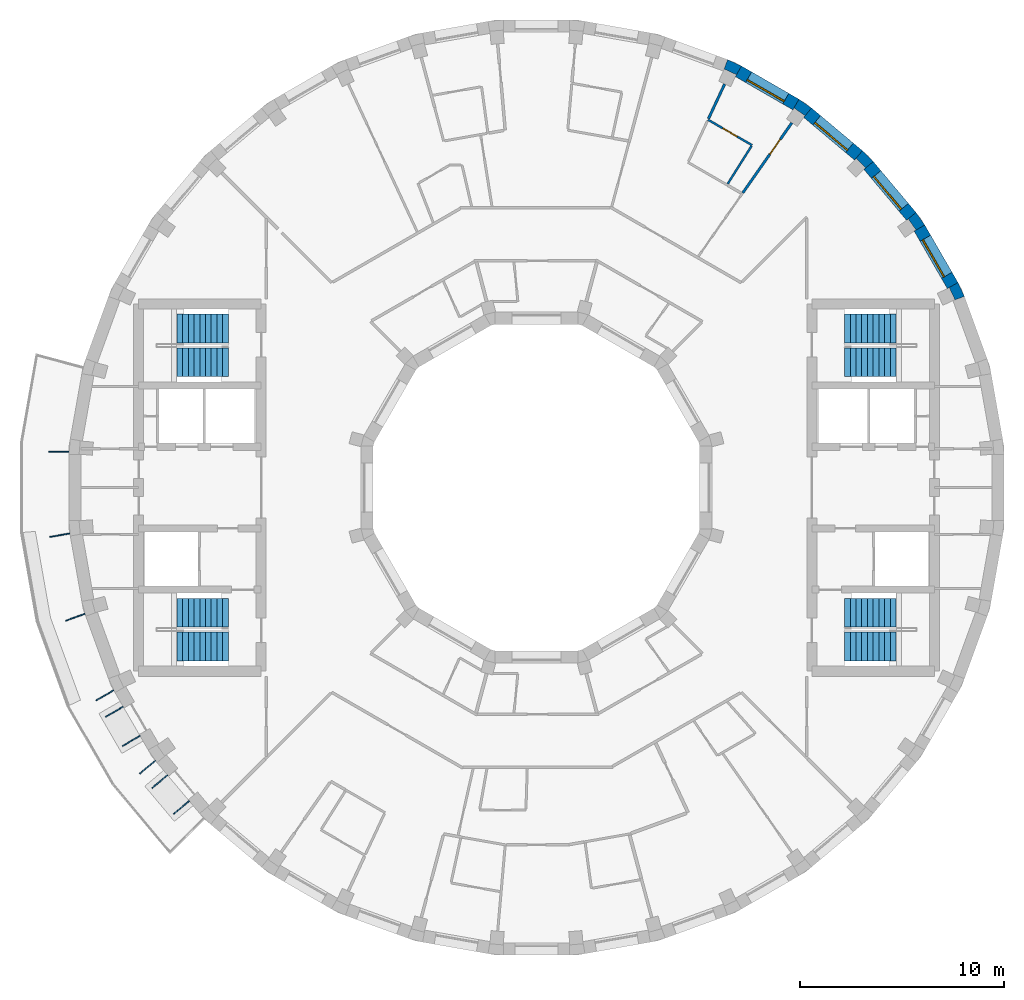
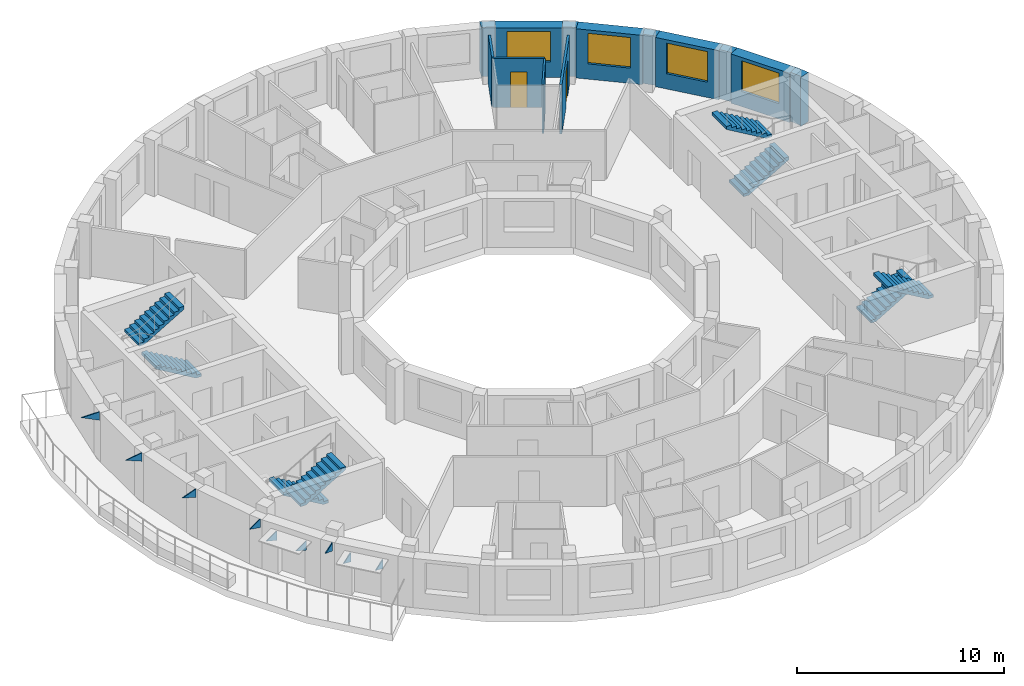
# One storey, part 9 of 10: 13 walls, 9 discrete accessories, 8 stair flights, 4 windows, 2 doors, 6 openings, 4 elements without a shape of their own.
"""IFC4 building model written with IfcOpenShell, lengths in metres."""

from ifc_helpers import new_model, si_unit, direction, frame, frame_2d, origin, place, context, subcontext, project, spatial, polyline, rectangle, outline, extrude, material, layer, layer_set, type_object, element, fill, aggregate, save


model = new_model("IFC4")

# Units and contexts
model_context = context("Model", 3, precision=1e-05, world=origin(), true_north=direction((0.0, 1.0)))
body_context = subcontext(model_context, "Body", "Model", "MODEL_VIEW")
ifc_project = project(units=[si_unit("LENGTHUNIT", "METRE"), si_unit("AREAUNIT", "SQUARE_METRE"), si_unit("VOLUMEUNIT", "CUBIC_METRE"), si_unit("PLANEANGLEUNIT", "RADIAN"), si_unit("MASSUNIT", "GRAM", prefix="KILO")], contexts=[model_context])

# Site, building, storey
site_placement = place(None, origin())
site = spatial("IfcSite", under=ifc_project, at=site_placement, CompositionType="ELEMENT")
building_placement = place(site_placement, origin())
building = spatial("IfcBuilding", under=site, at=building_placement, Name="Saqina Gate Tower", CompositionType="ELEMENT")
storey_placement = place(building_placement, frame((0.0, 0.0, 249.5)))
storey = spatial("IfcBuildingStorey", under=building, at=storey_placement, Name="L71", CompositionType="ELEMENT", Elevation=249.5)

# Walls
ifc_material_1 = material(Name="Brick masonry (buff)", Category="masonry")
wall_type_1 = type_object("IfcWallType", Name="BRICK PIER COPING BUFF", PredefinedType="SOLIDWALL", material=ifc_material_1)
wall_1_placement = place(storey_placement, origin())
element("IfcWall", 1, at=wall_1_placement, inside=storey, type_object=wall_type_1, Name="Pier cap L71 column 3", PredefinedType="SOLIDWALL", context=body_context, shape_type="SweptSolid", body=[
    extrude(outline(polyline([(20.974609375, 9.3642578125), (20.65576171875, 10.048095703125), (20.135986328125, 9.748291015625), (20.23193359375, 9.79296875), (20.506591796875, 9.203857421875), (20.410888671875, 9.1591796875), (20.974609375, 9.3642578125)])), origin(), (0.0, 0.0, 1.0), 2.89990234375),
])
wall_2_placement = place(storey_placement, origin())
element("IfcWall", 2, at=wall_2_placement, inside=storey, type_object=wall_type_1, Name="Pier cap L71 column 4", PredefinedType="SOLIDWALL", context=body_context, shape_type="SweptSolid", body=[
    extrude(outline(polyline([(19.02978515625, 12.8642578125), (18.59716796875, 13.482421875), (18.137451171875, 13.0966796875), (18.22412109375, 13.157470703125), (18.596923828125, 12.625), (18.51025390625, 12.564208984375), (19.02978515625, 12.8642578125)])), origin(), (0.0, 0.0, 1.0), 2.89990234375),
])
wall_3_placement = place(storey_placement, origin())
element("IfcWall", 3, at=wall_3_placement, inside=storey, type_object=wall_type_1, Name="Pier cap L71 column 5", PredefinedType="SOLIDWALL", context=body_context, shape_type="SweptSolid", body=[
    extrude(outline(polyline([(15.973388671875, 16.5068359375), (15.587646484375, 16.04736328125), (15.662353515625, 16.1220703125), (16.1220703125, 15.662353515625), (16.04736328125, 15.587646484375), (16.5068359375, 15.973388671875), (15.973388671875, 16.5068359375)])), origin(), (0.0, 0.0, 1.0), 2.89990234375),
])
wall_4_placement = place(storey_placement, origin())
element("IfcWall", 4, at=wall_4_placement, inside=storey, type_object=wall_type_1, Name="Pier cap L71 column 6", PredefinedType="SOLIDWALL", context=body_context, shape_type="SweptSolid", body=[
    extrude(outline(polyline([(12.8642578125, 19.02978515625), (12.564208984375, 18.51025390625), (12.625, 18.596923828125), (13.157470703125, 18.22412109375), (13.0966796875, 18.137451171875), (13.482421875, 18.59716796875), (12.8642578125, 19.02978515625)])), origin(), (0.0, 0.0, 1.0), 2.89990234375),
])
wall_5_placement = place(storey_placement, origin())
element("IfcWall", 5, at=wall_5_placement, inside=storey, type_object=wall_type_1, Name="Pier cap L71 column 7", PredefinedType="SOLIDWALL", context=body_context, shape_type="SweptSolid", body=[
    extrude(outline(polyline([(10.048095703125, 20.65576171875), (9.3642578125, 20.974609375), (9.1591796875, 20.410888671875), (9.203857421875, 20.506591796875), (9.79296875, 20.23193359375), (9.748291015625, 20.135986328125), (10.048095703125, 20.65576171875)])), origin(), (0.0, 0.0, 1.0), 2.89990234375),
])

# Wall, opening, window
ifc_material_2 = material(Name="Brick masonry (buff)", Category="masonry")
ifc_layer_1 = layer(ifc_material_2, 0.60009765625)
ifc_layer_set_1 = layer_set([ifc_layer_1], Name="FW-BRICK-BUFF")
wall_type_2 = type_object("IfcWallType", Name="FW-BRICK-BUFF", PredefinedType="SOLIDWALL", material=ifc_layer_set_1)
wall_6_placement = place(storey_placement, frame((20.39599609375, 9.898193359375, 0.0), z_axis=(0.0, 0.0, 1.0), x_axis=(-0.500014901547, 0.866016800201, 0.0)))
wall_6 = element("IfcWall", 6, at=wall_6_placement, inside=storey, type_object=wall_type_2, Name="Facade wall L71 facet 3", PredefinedType="SOLIDWALL", context=body_context, shape_type="SweptSolid", body=[
    extrude(rectangle(XDim=3.251953125, YDim=0.60009765625, at=frame_2d((1.6259765625, 0.0))), origin(), (0.0, 0.0, 1.0), 2.89990234375),
])
opening_1_placement = place(wall_6_placement, frame((0.57568359375, 0.0, 0.89990234375)))
opening_1 = element("IfcOpeningElement", 7, at=opening_1_placement, cuts=wall_6, Name="Opening G21-W01", PredefinedType="OPENING", context=body_context, shape_type="SweptSolid", body=[
    extrude(rectangle(XDim=2.10009765625, YDim=1.800048828125, at=frame_2d((1.050048828125, 0.89990234375))), frame((0.0, 0.31201171875, 0.0), z_axis=(0.0, -1.0, 0.0), x_axis=(1.0, 0.0, 0.0)), (0.0, 0.0, 1.0), 0.6240234375),
])
ifc_material_3 = material(Name="Aluminium glazing", Category="aluminium")
window_type = type_object("IfcWindowType", Name="WN-D", PartitioningType="SINGLE_PANEL", PredefinedType="WINDOW", material=ifc_material_3)
window_1_placement = place(opening_1_placement, origin())
window_1 = element("IfcWindow", 8, at=window_1_placement, inside=storey, type_object=window_type, Name="Window L71 facet 3", OverallHeight=1.800048828125, OverallWidth=2.10009765625, PartitioningType="SINGLE_PANEL", PredefinedType="WINDOW", context=body_context, shape_type="SweptSolid", body=[
    extrude(rectangle(XDim=2.10009765625, YDim=1.800048828125, at=frame_2d((1.050048828125, 0.89990234375))), frame((0.0, 0.179931640625, 0.0), z_axis=(0.0, -1.0, 0.0), x_axis=(1.0, 0.0, 0.0)), (0.0, 0.0, 1.0), 0.06005859375),
])
fill(opening_1, window_1)

wall_7_placement = place(storey_placement, frame((18.3671875, 13.28955078125, 0.0), z_axis=(0.0, 0.0, 1.0), x_axis=(-0.64277291405, 0.766056773982, 0.0)))
wall_7 = element("IfcWall", 9, at=wall_7_placement, inside=storey, type_object=wall_type_2, Name="Facade wall L71 facet 4", PredefinedType="SOLIDWALL", context=body_context, shape_type="SweptSolid", body=[
    extrude(rectangle(XDim=3.251708984375, YDim=0.60009765625, at=frame_2d((1.6259765625, 0.0))), origin(), (0.0, 0.0, 1.0), 2.89990234375),
])
opening_2_placement = place(wall_7_placement, frame((0.57568359375, 0.0, 0.89990234375)))
opening_2 = element("IfcOpeningElement", 10, at=opening_2_placement, cuts=wall_7, Name="Opening G21-W02", PredefinedType="OPENING", context=body_context, shape_type="SweptSolid", body=[
    extrude(rectangle(XDim=2.10009765625, YDim=1.800048828125, at=frame_2d((1.050048828125, 0.89990234375))), frame((0.0, 0.31201171875, 0.0), z_axis=(0.0, -1.0, 0.0), x_axis=(1.0, 0.0, 0.0)), (0.0, 0.0, 1.0), 0.6240234375),
])
window_2_placement = place(opening_2_placement, origin())
window_2 = element("IfcWindow", 11, at=window_2_placement, inside=storey, type_object=window_type, Name="Window L71 facet 4", OverallHeight=1.800048828125, OverallWidth=2.10009765625, PartitioningType="SINGLE_PANEL", PredefinedType="WINDOW", context=body_context, shape_type="SweptSolid", body=[
    extrude(rectangle(XDim=2.10009765625, YDim=1.800048828125, at=frame_2d((1.050048828125, 0.89990234375))), frame((0.0, 0.179931640625, 0.0), z_axis=(0.0, -1.0, 0.0), x_axis=(1.0, 0.0, 0.0)), (0.0, 0.0, 1.0), 0.06005859375),
])
fill(opening_2, window_2)

wall_8_placement = place(storey_placement, frame((15.780517578125, 16.277099609375, 0.0), z_axis=(0.0, 0.0, 1.0), x_axis=(-0.766056773982, 0.64277291405, 0.0)))
wall_8 = element("IfcWall", 12, at=wall_8_placement, inside=storey, type_object=wall_type_2, Name="Facade wall L71 facet 5", PredefinedType="SOLIDWALL", context=body_context, shape_type="SweptSolid", body=[
    extrude(rectangle(XDim=3.251708984375, YDim=0.60009765625, at=frame_2d((1.6259765625, 0.0))), origin(), (0.0, 0.0, 1.0), 2.89990234375),
])
opening_3_placement = place(wall_8_placement, frame((0.57568359375, 0.0, 0.89990234375)))
opening_3 = element("IfcOpeningElement", 13, at=opening_3_placement, cuts=wall_8, Name="Opening G21-W03", PredefinedType="OPENING", context=body_context, shape_type="SweptSolid", body=[
    extrude(rectangle(XDim=2.10009765625, YDim=1.800048828125, at=frame_2d((1.050048828125, 0.89990234375))), frame((0.0, 0.31201171875, 0.0), z_axis=(0.0, -1.0, 0.0), x_axis=(1.0, 0.0, 0.0)), (0.0, 0.0, 1.0), 0.6240234375),
])
window_3_placement = place(opening_3_placement, origin())
window_3 = element("IfcWindow", 14, at=window_3_placement, inside=storey, type_object=window_type, Name="Window L71 facet 5", OverallHeight=1.800048828125, OverallWidth=2.10009765625, PartitioningType="SINGLE_PANEL", PredefinedType="WINDOW", context=body_context, shape_type="SweptSolid", body=[
    extrude(rectangle(XDim=2.10009765625, YDim=1.800048828125, at=frame_2d((1.050048828125, 0.89990234375))), frame((0.0, 0.179931640625, 0.0), z_axis=(0.0, -1.0, 0.0), x_axis=(1.0, 0.0, 0.0)), (0.0, 0.0, 1.0), 0.06005859375),
])
fill(opening_3, window_3)

wall_9_placement = place(storey_placement, frame((12.71435546875, 18.77001953125, 0.0), z_axis=(0.0, 0.0, 1.0), x_axis=(-0.866016800201, 0.500014901547, 0.0)))
wall_9 = element("IfcWall", 15, at=wall_9_placement, inside=storey, type_object=wall_type_2, Name="Facade wall L71 facet 6", PredefinedType="SOLIDWALL", context=body_context, shape_type="SweptSolid", body=[
    extrude(rectangle(XDim=3.251953125, YDim=0.60009765625, at=frame_2d((1.6259765625, 0.0))), origin(), (0.0, 0.0, 1.0), 2.89990234375),
])
opening_4_placement = place(wall_9_placement, frame((0.57568359375, 0.0, 0.89990234375)))
opening_4 = element("IfcOpeningElement", 16, at=opening_4_placement, cuts=wall_9, Name="Opening G21-W04", PredefinedType="OPENING", context=body_context, shape_type="SweptSolid", body=[
    extrude(rectangle(XDim=2.10009765625, YDim=1.800048828125, at=frame_2d((1.050048828125, 0.89990234375))), frame((0.0, 0.31201171875, 0.0), z_axis=(0.0, -1.0, 0.0), x_axis=(1.0, 0.0, 0.0)), (0.0, 0.0, 1.0), 0.6240234375),
])
window_4_placement = place(opening_4_placement, origin())
window_4 = element("IfcWindow", 17, at=window_4_placement, inside=storey, type_object=window_type, Name="Window L71 facet 6", OverallHeight=1.800048828125, OverallWidth=2.10009765625, PartitioningType="SINGLE_PANEL", PredefinedType="WINDOW", context=body_context, shape_type="SweptSolid", body=[
    extrude(rectangle(XDim=2.10009765625, YDim=1.800048828125, at=frame_2d((1.050048828125, 0.89990234375))), frame((0.0, 0.179931640625, 0.0), z_axis=(0.0, -1.0, 0.0), x_axis=(1.0, 0.0, 0.0)), (0.0, 0.0, 1.0), 0.06005859375),
])
fill(opening_4, window_4)

# Wall, opening, door
ifc_material_4 = material(Name="Gypsum board on steel studs, 100 mm", Category="steel")
ifc_layer_2 = layer(ifc_material_4, 0.10009765625)
ifc_layer_set_2 = layer_set([ifc_layer_2], Name="PARTITION 100")
wall_type_3 = type_object("IfcWallType", Name="PARTITION 100", PredefinedType="PARTITIONING", material=ifc_layer_set_2)
wall_10_placement = place(storey_placement, frame((8.405029296875, 18.02490234375, 0.0), z_axis=(0.0, 0.0, 1.0), x_axis=(0.866060068719, -0.499939953764, 0.0)))
wall_10 = element("IfcWall", 18, at=wall_10_placement, inside=storey, type_object=wall_type_3, Name="PARTITION PW3-19", PredefinedType="PARTITIONING", context=body_context, shape_type="SweptSolid", body=[
    extrude(rectangle(XDim=2.493896484375, YDim=0.10009765625, at=frame_2d((1.2470703125, 0.0))), origin(), (0.0, 0.0, 1.0), 2.89990234375),
])
opening_5_placement = place(wall_10_placement, frame((0.84716796875, 0.0, 0.0)))
opening_5 = element("IfcOpeningElement", 19, at=opening_5_placement, cuts=wall_10, Name="Opening G21-D07", PredefinedType="OPENING", context=body_context, shape_type="SweptSolid", body=[
    extrude(rectangle(XDim=0.800048828125, YDim=2.10009765625, at=frame_2d((0.39990234375, 1.050048828125))), frame((0.0, 0.06201171875, 0.0), z_axis=(0.0, -1.0, 0.0), x_axis=(1.0, 0.0, 0.0)), (0.0, 0.0, 1.0), 0.1240234375),
])
ifc_material_5 = material(Name="Timber door leaf, 800 mm", Category="wood")
door_type_1 = type_object("IfcDoorType", Name="DOOR 800 TIMBER", OperationType="SINGLE_SWING_LEFT", PredefinedType="DOOR", material=ifc_material_5)
door_1_placement = place(opening_5_placement, origin())
door_1 = element("IfcDoor", 20, at=door_1_placement, inside=storey, type_object=door_type_1, Name="DOOR G21-D07", OperationType="SINGLE_SWING_RIGHT", OverallHeight=2.10009765625, OverallWidth=0.800048828125, PredefinedType="DOOR", context=body_context, shape_type="SweptSolid", body=[
    extrude(rectangle(XDim=0.800048828125, YDim=2.10009765625, at=frame_2d((0.39990234375, 1.050048828125))), frame((0.0, 0.02490234375, 0.0), z_axis=(0.0, -1.0, 0.0), x_axis=(1.0, 0.0, 0.0)), (0.0, 0.0, 1.0), 0.050048828125),
])
fill(opening_5, door_1)

# Wall
wall_11_placement = place(storey_placement, frame((9.371337890625, 14.8828125, 0.0), z_axis=(0.0, 0.0, 1.0), x_axis=(0.532952249521, 0.846145318329, 0.0)))
element("IfcWall", 21, at=wall_11_placement, inside=storey, type_object=wall_type_3, Name="PARTITION PW3-39", PredefinedType="PARTITIONING", context=body_context, shape_type="SweptSolid", body=[
    extrude(rectangle(XDim=2.189697265625, YDim=0.10009765625, at=frame_2d((1.0947265625, 0.0))), origin(), (0.0, 0.0, 1.0), 2.89990234375),
])

# Wall, opening, door
ifc_material_6 = material(Name="Gypsum board on steel studs, 125 mm, fire rated", Category="steel")
ifc_layer_3 = layer(ifc_material_6, 0.125)
ifc_layer_set_3 = layer_set([ifc_layer_3], Name="PARTITION EI 30 125")
wall_type_4 = type_object("IfcWallType", Name="PARTITION EI 30 125", PredefinedType="PARTITIONING", material=ifc_layer_set_3)
wall_12_placement = place(storey_placement, frame((10.111572265625, 14.44091796875, 0.0), z_axis=(0.0, 0.0, 1.0), x_axis=(0.57362673896, 0.819116819721, 0.0)))
wall_12 = element("IfcWall", 22, at=wall_12_placement, inside=storey, type_object=wall_type_4, Name="PARTITION PW1-32", PredefinedType="PARTITIONING", context=body_context, shape_type="SweptSolid", body=[
    extrude(rectangle(XDim=4.185791015625, YDim=0.125, at=frame_2d((2.0927734375, 0.0))), origin(), (0.0, 0.0, 1.0), 2.89990234375),
])
opening_6_placement = place(wall_12_placement, frame((2.309326171875, 0.0, 0.0)))
opening_6 = element("IfcOpeningElement", 23, at=opening_6_placement, cuts=wall_12, Name="Opening G21-D05", PredefinedType="OPENING", context=body_context, shape_type="SweptSolid", body=[
    extrude(rectangle(XDim=0.89990234375, YDim=2.10009765625, at=frame_2d((0.449951171875, 1.050048828125))), frame((0.0, 0.074462890625, 0.0), z_axis=(0.0, -1.0, 0.0), x_axis=(1.0, 0.0, 0.0)), (0.0, 0.0, 1.0), 0.14892578125),
])
ifc_material_7 = material(Name="Fire door leaf EI 30, 900 mm")
door_type_2 = type_object("IfcDoorType", Name="DOOR 900 EI 30", OperationType="SINGLE_SWING_LEFT", PredefinedType="DOOR", material=ifc_material_7)
door_2_placement = place(opening_6_placement, frame((0.89990234375, 0.0, 0.0), z_axis=(0.0, 0.0, 1.0), x_axis=(-1.0, 0.0, 0.0)))
door_2 = element("IfcDoor", 24, at=door_2_placement, inside=storey, type_object=door_type_2, Name="DOOR G21-D05", OperationType="SINGLE_SWING_LEFT", OverallHeight=2.10009765625, OverallWidth=0.89990234375, PredefinedType="DOOR", context=body_context, shape_type="SweptSolid", body=[
    extrude(rectangle(XDim=0.89990234375, YDim=2.10009765625, at=frame_2d((0.449951171875, 1.050048828125))), frame((0.0, 0.02490234375, 0.0), z_axis=(0.0, -1.0, 0.0), x_axis=(1.0, 0.0, 0.0)), (0.0, 0.0, 1.0), 0.050048828125),
])
fill(opening_6, door_2)

# Wall
wall_13_placement = place(storey_placement, frame((8.42626953125, 18.0703125, 0.0), z_axis=(0.0, 0.0, 1.0), x_axis=(0.423433748068, 0.905927072671, 0.0)))
element("IfcWall", 25, at=wall_13_placement, inside=storey, type_object=wall_type_4, Name="PARTITION PW1-34", PredefinedType="PARTITIONING", context=body_context, shape_type="SweptSolid", body=[
    extrude(rectangle(XDim=1.876708984375, YDim=0.125, at=frame_2d((0.9384765625, 0.0))), origin(), (0.0, 0.0, 1.0), 2.89990234375),
])

# Stair, stair flights
ifc_material_8 = material(Name="Concrete C40/50", Category="concrete")
stair_type = type_object("IfcStairType", Name="EXIT STAIR", PredefinedType="HALF_TURN_STAIR", material=ifc_material_8)
stair_1_placement = place(storey_placement, origin())
stair_1 = element("IfcStair", 26, at=stair_1_placement, inside=storey, type_object=stair_type, Name="EXIT STAIR 1", PredefinedType="HALF_TURN_STAIR")
ifc_material_9 = material(Name="Concrete C40/50", Category="concrete")
stair_flight_type = type_object("IfcStairFlightType", Name="EXIT STAIR FLIGHT", PredefinedType="STRAIGHT", material=ifc_material_9)
stair_flight_1_placement = place(storey_placement, frame((15.10009765625, 6.13330078125, 0.0), z_axis=(0.0, 0.0, 1.0), x_axis=(1.0, 0.0, 0.0)))
stair_flight_1 = element("IfcStairFlight", 27, at=stair_flight_1_placement, type_object=stair_flight_type, Name="EXIT STAIR 1 FLIGHT 1", NumberOfRisers=10, NumberOfTreads=9, PredefinedType="STRAIGHT", RiserHeight=0.165, TreadLength=0.28, context=body_context, shape_type="SweptSolid", body=[
    extrude(outline(polyline([(0.0, 0.0), (0.0, 0.1650390625), (0.280029296875, 0.1650390625), (0.280029296875, 0.330078125), (0.56005859375, 0.330078125), (0.56005859375, 0.4951171875), (0.840087890625, 0.4951171875), (0.840087890625, 0.659912109375), (1.1201171875, 0.659912109375), (1.1201171875, 0.824951171875), (1.39990234375, 0.824951171875), (1.39990234375, 0.989990234375), (1.679931640625, 0.989990234375), (1.679931640625, 1.155029296875), (1.9599609375, 1.155029296875), (1.9599609375, 1.320068359375), (2.239990234375, 1.320068359375), (2.239990234375, 1.485107421875), (2.52001953125, 1.485107421875), (2.52001953125, 1.64990234375), (2.52001953125, 1.31103515625), (0.295166015625, 0.0), (0.0, 0.0)])), frame((0.0, 0.699951171875, 0.0), z_axis=(0.0, -1.0, 0.0), x_axis=(1.0, 0.0, 0.0)), (0.0, 0.0, 1.0), 1.39990234375),
])
stair_flight_2_placement = place(storey_placement, frame((17.6201171875, 7.791748046875, 1.64990234375), z_axis=(0.0, 0.0, 1.0), x_axis=(-1.0, 0.0, 0.0)))
stair_flight_2 = element("IfcStairFlight", 28, at=stair_flight_2_placement, type_object=stair_flight_type, Name="EXIT STAIR 1 FLIGHT 2", NumberOfRisers=10, NumberOfTreads=9, PredefinedType="STRAIGHT", RiserHeight=0.165, TreadLength=0.28, context=body_context, shape_type="SweptSolid", body=[
    extrude(outline(polyline([(0.0, 0.0), (0.0, 0.1650390625), (0.280029296875, 0.1650390625), (0.280029296875, 0.330078125), (0.56005859375, 0.330078125), (0.56005859375, 0.4951171875), (0.840087890625, 0.4951171875), (0.840087890625, 0.659912109375), (1.1201171875, 0.659912109375), (1.1201171875, 0.824951171875), (1.39990234375, 0.824951171875), (1.39990234375, 0.989990234375), (1.679931640625, 0.989990234375), (1.679931640625, 1.155029296875), (1.9599609375, 1.155029296875), (1.9599609375, 1.320068359375), (2.239990234375, 1.320068359375), (2.239990234375, 1.485107421875), (2.52001953125, 1.485107421875), (2.52001953125, 1.64990234375), (2.52001953125, 1.31103515625), (0.295166015625, 0.0), (0.0, 0.0)])), frame((0.0, 0.699951171875, 0.0), z_axis=(0.0, -1.0, 0.0), x_axis=(1.0, 0.0, 0.0)), (0.0, 0.0, 1.0), 1.39990234375),
])
aggregate(stair_1, [stair_flight_1, stair_flight_2])

stair_2_placement = place(storey_placement, origin())
stair_2 = element("IfcStair", 29, at=stair_2_placement, inside=storey, type_object=stair_type, Name="EXIT STAIR 2", PredefinedType="HALF_TURN_STAIR")
stair_flight_3_placement = place(storey_placement, frame((15.10009765625, -6.13330078125, 0.0), z_axis=(0.0, 0.0, 1.0), x_axis=(1.0, 0.0, 0.0)))
stair_flight_3 = element("IfcStairFlight", 30, at=stair_flight_3_placement, type_object=stair_flight_type, Name="EXIT STAIR 2 FLIGHT 1", NumberOfRisers=10, NumberOfTreads=9, PredefinedType="STRAIGHT", RiserHeight=0.165, TreadLength=0.28, context=body_context, shape_type="SweptSolid", body=[
    extrude(outline(polyline([(0.0, 0.0), (0.0, 0.1650390625), (0.280029296875, 0.1650390625), (0.280029296875, 0.330078125), (0.56005859375, 0.330078125), (0.56005859375, 0.4951171875), (0.840087890625, 0.4951171875), (0.840087890625, 0.659912109375), (1.1201171875, 0.659912109375), (1.1201171875, 0.824951171875), (1.39990234375, 0.824951171875), (1.39990234375, 0.989990234375), (1.679931640625, 0.989990234375), (1.679931640625, 1.155029296875), (1.9599609375, 1.155029296875), (1.9599609375, 1.320068359375), (2.239990234375, 1.320068359375), (2.239990234375, 1.485107421875), (2.52001953125, 1.485107421875), (2.52001953125, 1.64990234375), (2.52001953125, 1.31103515625), (0.295166015625, 0.0), (0.0, 0.0)])), frame((0.0, 0.699951171875, 0.0), z_axis=(0.0, -1.0, 0.0), x_axis=(1.0, 0.0, 0.0)), (0.0, 0.0, 1.0), 1.39990234375),
])
stair_flight_4_placement = place(storey_placement, frame((17.6201171875, -7.791748046875, 1.64990234375), z_axis=(0.0, 0.0, 1.0), x_axis=(-1.0, 0.0, 0.0)))
stair_flight_4 = element("IfcStairFlight", 31, at=stair_flight_4_placement, type_object=stair_flight_type, Name="EXIT STAIR 2 FLIGHT 2", NumberOfRisers=10, NumberOfTreads=9, PredefinedType="STRAIGHT", RiserHeight=0.165, TreadLength=0.28, context=body_context, shape_type="SweptSolid", body=[
    extrude(outline(polyline([(0.0, 0.0), (0.0, 0.1650390625), (0.280029296875, 0.1650390625), (0.280029296875, 0.330078125), (0.56005859375, 0.330078125), (0.56005859375, 0.4951171875), (0.840087890625, 0.4951171875), (0.840087890625, 0.659912109375), (1.1201171875, 0.659912109375), (1.1201171875, 0.824951171875), (1.39990234375, 0.824951171875), (1.39990234375, 0.989990234375), (1.679931640625, 0.989990234375), (1.679931640625, 1.155029296875), (1.9599609375, 1.155029296875), (1.9599609375, 1.320068359375), (2.239990234375, 1.320068359375), (2.239990234375, 1.485107421875), (2.52001953125, 1.485107421875), (2.52001953125, 1.64990234375), (2.52001953125, 1.31103515625), (0.295166015625, 0.0), (0.0, 0.0)])), frame((0.0, 0.699951171875, 0.0), z_axis=(0.0, -1.0, 0.0), x_axis=(1.0, 0.0, 0.0)), (0.0, 0.0, 1.0), 1.39990234375),
])
aggregate(stair_2, [stair_flight_3, stair_flight_4])

stair_3_placement = place(storey_placement, origin())
stair_3 = element("IfcStair", 32, at=stair_3_placement, inside=storey, type_object=stair_type, Name="EXIT STAIR 3", PredefinedType="HALF_TURN_STAIR")
stair_flight_5_placement = place(storey_placement, frame((-15.10009765625, 6.13330078125, 0.0), z_axis=(0.0, 0.0, 1.0), x_axis=(-1.0, 0.0, 0.0)))
stair_flight_5 = element("IfcStairFlight", 33, at=stair_flight_5_placement, type_object=stair_flight_type, Name="EXIT STAIR 3 FLIGHT 1", NumberOfRisers=10, NumberOfTreads=9, PredefinedType="STRAIGHT", RiserHeight=0.165, TreadLength=0.28, context=body_context, shape_type="SweptSolid", body=[
    extrude(outline(polyline([(0.0, 0.0), (0.0, 0.1650390625), (0.280029296875, 0.1650390625), (0.280029296875, 0.330078125), (0.56005859375, 0.330078125), (0.56005859375, 0.4951171875), (0.840087890625, 0.4951171875), (0.840087890625, 0.659912109375), (1.1201171875, 0.659912109375), (1.1201171875, 0.824951171875), (1.39990234375, 0.824951171875), (1.39990234375, 0.989990234375), (1.679931640625, 0.989990234375), (1.679931640625, 1.155029296875), (1.9599609375, 1.155029296875), (1.9599609375, 1.320068359375), (2.239990234375, 1.320068359375), (2.239990234375, 1.485107421875), (2.52001953125, 1.485107421875), (2.52001953125, 1.64990234375), (2.52001953125, 1.31103515625), (0.295166015625, 0.0), (0.0, 0.0)])), frame((0.0, 0.699951171875, 0.0), z_axis=(0.0, -1.0, 0.0), x_axis=(1.0, 0.0, 0.0)), (0.0, 0.0, 1.0), 1.39990234375),
])
stair_flight_6_placement = place(storey_placement, frame((-17.6201171875, 7.791748046875, 1.64990234375), z_axis=(0.0, 0.0, 1.0), x_axis=(1.0, 0.0, 0.0)))
stair_flight_6 = element("IfcStairFlight", 34, at=stair_flight_6_placement, type_object=stair_flight_type, Name="EXIT STAIR 3 FLIGHT 2", NumberOfRisers=10, NumberOfTreads=9, PredefinedType="STRAIGHT", RiserHeight=0.165, TreadLength=0.28, context=body_context, shape_type="SweptSolid", body=[
    extrude(outline(polyline([(0.0, 0.0), (0.0, 0.1650390625), (0.280029296875, 0.1650390625), (0.280029296875, 0.330078125), (0.56005859375, 0.330078125), (0.56005859375, 0.4951171875), (0.840087890625, 0.4951171875), (0.840087890625, 0.659912109375), (1.1201171875, 0.659912109375), (1.1201171875, 0.824951171875), (1.39990234375, 0.824951171875), (1.39990234375, 0.989990234375), (1.679931640625, 0.989990234375), (1.679931640625, 1.155029296875), (1.9599609375, 1.155029296875), (1.9599609375, 1.320068359375), (2.239990234375, 1.320068359375), (2.239990234375, 1.485107421875), (2.52001953125, 1.485107421875), (2.52001953125, 1.64990234375), (2.52001953125, 1.31103515625), (0.295166015625, 0.0), (0.0, 0.0)])), frame((0.0, 0.699951171875, 0.0), z_axis=(0.0, -1.0, 0.0), x_axis=(1.0, 0.0, 0.0)), (0.0, 0.0, 1.0), 1.39990234375),
])
aggregate(stair_3, [stair_flight_5, stair_flight_6])

stair_4_placement = place(storey_placement, origin())
stair_4 = element("IfcStair", 35, at=stair_4_placement, inside=storey, type_object=stair_type, Name="EXIT STAIR 4", PredefinedType="HALF_TURN_STAIR")
stair_flight_7_placement = place(storey_placement, frame((-15.10009765625, -6.13330078125, 0.0), z_axis=(0.0, 0.0, 1.0), x_axis=(-1.0, 0.0, 0.0)))
stair_flight_7 = element("IfcStairFlight", 36, at=stair_flight_7_placement, type_object=stair_flight_type, Name="EXIT STAIR 4 FLIGHT 1", NumberOfRisers=10, NumberOfTreads=9, PredefinedType="STRAIGHT", RiserHeight=0.165, TreadLength=0.28, context=body_context, shape_type="SweptSolid", body=[
    extrude(outline(polyline([(0.0, 0.0), (0.0, 0.1650390625), (0.280029296875, 0.1650390625), (0.280029296875, 0.330078125), (0.56005859375, 0.330078125), (0.56005859375, 0.4951171875), (0.840087890625, 0.4951171875), (0.840087890625, 0.659912109375), (1.1201171875, 0.659912109375), (1.1201171875, 0.824951171875), (1.39990234375, 0.824951171875), (1.39990234375, 0.989990234375), (1.679931640625, 0.989990234375), (1.679931640625, 1.155029296875), (1.9599609375, 1.155029296875), (1.9599609375, 1.320068359375), (2.239990234375, 1.320068359375), (2.239990234375, 1.485107421875), (2.52001953125, 1.485107421875), (2.52001953125, 1.64990234375), (2.52001953125, 1.31103515625), (0.295166015625, 0.0), (0.0, 0.0)])), frame((0.0, 0.699951171875, 0.0), z_axis=(0.0, -1.0, 0.0), x_axis=(1.0, 0.0, 0.0)), (0.0, 0.0, 1.0), 1.39990234375),
])
stair_flight_8_placement = place(storey_placement, frame((-17.6201171875, -7.791748046875, 1.64990234375), z_axis=(0.0, 0.0, 1.0), x_axis=(1.0, 0.0, 0.0)))
stair_flight_8 = element("IfcStairFlight", 37, at=stair_flight_8_placement, type_object=stair_flight_type, Name="EXIT STAIR 4 FLIGHT 2", NumberOfRisers=10, NumberOfTreads=9, PredefinedType="STRAIGHT", RiserHeight=0.165, TreadLength=0.28, context=body_context, shape_type="SweptSolid", body=[
    extrude(outline(polyline([(0.0, 0.0), (0.0, 0.1650390625), (0.280029296875, 0.1650390625), (0.280029296875, 0.330078125), (0.56005859375, 0.330078125), (0.56005859375, 0.4951171875), (0.840087890625, 0.4951171875), (0.840087890625, 0.659912109375), (1.1201171875, 0.659912109375), (1.1201171875, 0.824951171875), (1.39990234375, 0.824951171875), (1.39990234375, 0.989990234375), (1.679931640625, 0.989990234375), (1.679931640625, 1.155029296875), (1.9599609375, 1.155029296875), (1.9599609375, 1.320068359375), (2.239990234375, 1.320068359375), (2.239990234375, 1.485107421875), (2.52001953125, 1.485107421875), (2.52001953125, 1.64990234375), (2.52001953125, 1.31103515625), (0.295166015625, 0.0), (0.0, 0.0)])), frame((0.0, 0.699951171875, 0.0), z_axis=(0.0, -1.0, 0.0), x_axis=(1.0, 0.0, 0.0)), (0.0, 0.0, 1.0), 1.39990234375),
])
aggregate(stair_4, [stair_flight_7, stair_flight_8])

# Discrete accessories
ifc_material_10 = material(Name="Galvanised steel", Category="steel")
ifc_layer_4 = layer(ifc_material_10, 0.050048828125)
ifc_layer_set_4 = layer_set([ifc_layer_4], Name="BR-AWNING")
discrete_accessory_type_1 = type_object("IfcDiscreteAccessoryType", Name="BR-AWNING", PredefinedType="BRACKET", material=ifc_layer_set_4)
for number, where, z_axis, x_axis, name in (
    (38, (-20.2431640625, -10.7626953125, 1.97509765625), (0.50002537861, -0.866010750942, 0.0), (0.0, 0.0, 1.0), "Awning bracket L71 facet 21"),
    (39, (-19.41748046875, -12.193115234375, 1.97509765625), (0.50002537861, -0.866010750942, 0.0), (0.0, 0.0, 1.0), "Awning bracket L71 facet 21"),
):
    element("IfcDiscreteAccessory", number, at=place(storey_placement, frame(where, z_axis=z_axis, x_axis=x_axis)), inside=storey, type_object=discrete_accessory_type_1, Name=name, PredefinedType="BRACKET", context=body_context, shape_type="SweptSolid", body=[
        extrude(outline(polyline([(0.0, 0.0), (0.5498046875, 0.0), (0.5498046875, 0.9999492453569568), (0.0, 0.0)])), origin(), (0.0, 0.0, -1.0), 0.050048828125),
    ])
discrete_accessory_1_placement = place(storey_placement, frame((-18.06689453125, -14.114501953125, 1.97509765625), z_axis=(0.64275098807, -0.766075170812, 0.0), x_axis=(0.0, 0.0, 1.0)))
element("IfcDiscreteAccessory", 40, at=discrete_accessory_1_placement, inside=storey, type_object=discrete_accessory_type_1, Name="Awning bracket L71 facet 22", PredefinedType="BRACKET", context=body_context, shape_type="SweptSolid", body=[
    extrude(outline(polyline([(0.0, 0.0), (0.5498046875, 0.0), (0.5498046875, 0.9997310574800564), (0.0, 0.0)])), origin(), (0.0, 0.0, -1.0), 0.050048828125),
])
discrete_accessory_2_placement = place(storey_placement, frame((-17.005126953125, -15.379638671875, 1.97509765625), z_axis=(0.642894271969, -0.765954930181, 0.0), x_axis=(0.0, 0.0, 1.0)))
element("IfcDiscreteAccessory", 41, at=discrete_accessory_2_placement, inside=storey, type_object=discrete_accessory_type_1, Name="Awning bracket L71 facet 22", PredefinedType="BRACKET", context=body_context, shape_type="SweptSolid", body=[
    extrude(outline(polyline([(0.0, 0.0), (0.5498046875, 0.0), (0.5498046875, 0.9998879966000863), (0.0, 0.0)])), origin(), (0.0, 0.0, -1.0), 0.050048828125),
])
ifc_material_11 = material(Name="Galvanised steel", Category="steel")
ifc_layer_5 = layer(ifc_material_11, 0.050048828125)
ifc_layer_set_5 = layer_set([ifc_layer_5], Name="BR-GUSSET")
discrete_accessory_type_2 = type_object("IfcDiscreteAccessoryType", Name="BR-GUSSET", PredefinedType="BRACKET", material=ifc_layer_set_5)
discrete_accessory_3_placement = place(storey_placement, frame((-22.91259765625, 1.7294921875, 2.39990234375), z_axis=(0.0, -1.0, 0.0), x_axis=(0.0, 0.0, 1.0)))
element("IfcDiscreteAccessory", 42, at=discrete_accessory_3_placement, inside=storey, type_object=discrete_accessory_type_2, Name="Terrace slab bracket L72 1", PredefinedType="BRACKET", context=body_context, shape_type="SweptSolid", body=[
    extrude(outline(polyline([(0.0, 0.0), (0.5, 0.0), (0.5, 1.0), (0.0, 0.0)])), origin(), (0.0, 0.0, -1.0), 0.050048828125),
])
discrete_accessory_4_placement = place(storey_placement, frame((-22.86474609375, -2.275390625, 2.39990234375), z_axis=(0.173813186416, -0.984778643263, 0.0), x_axis=(0.0, 0.0, 1.0)))
element("IfcDiscreteAccessory", 43, at=discrete_accessory_4_placement, inside=storey, type_object=discrete_accessory_type_2, Name="Terrace slab bracket L72 2", PredefinedType="BRACKET", context=body_context, shape_type="SweptSolid", body=[
    extrude(outline(polyline([(0.0, 0.0), (0.5, 0.0), (0.5, 1.000085946204391), (0.0, 0.0)])), origin(), (0.0, 0.0, -1.0), 0.050048828125),
])
discrete_accessory_5_placement = place(storey_placement, frame((-22.122314453125, -6.211181640625, 2.39990234375), z_axis=(0.342037080957, -0.939686455819, 0.0), x_axis=(0.0, 0.0, 1.0)))
element("IfcDiscreteAccessory", 44, at=discrete_accessory_5_placement, inside=storey, type_object=discrete_accessory_type_2, Name="Terrace slab bracket L72 3", PredefinedType="BRACKET", context=body_context, shape_type="SweptSolid", body=[
    extrude(outline(polyline([(0.0, 0.0), (0.5, 0.0), (0.5, 1.000011503630275), (0.0, 0.0)])), origin(), (0.0, 0.0, -1.0), 0.050048828125),
])
discrete_accessory_6_placement = place(storey_placement, frame((-20.70751953125, -9.95849609375, 2.39990234375), z_axis=(0.50002537861, -0.866010750942, 0.0), x_axis=(0.0, 0.0, 1.0)))
element("IfcDiscreteAccessory", 45, at=discrete_accessory_6_placement, inside=storey, type_object=discrete_accessory_type_2, Name="Terrace slab bracket L72 4", PredefinedType="BRACKET", context=body_context, shape_type="SweptSolid", body=[
    extrude(outline(polyline([(0.0, 0.0), (0.5, 0.0), (0.5, 0.9999492453569568), (0.0, 0.0)])), origin(), (0.0, 0.0, -1.0), 0.050048828125),
])
discrete_accessory_7_placement = place(storey_placement, frame((-18.663818359375, -13.40283203125, 2.39990234375), z_axis=(0.642894271969, -0.765954930181, 0.0), x_axis=(0.0, 0.0, 1.0)))
element("IfcDiscreteAccessory", 46, at=discrete_accessory_7_placement, inside=storey, type_object=discrete_accessory_type_2, Name="Terrace slab bracket L72 5", PredefinedType="BRACKET", context=body_context, shape_type="SweptSolid", body=[
    extrude(outline(polyline([(0.0, 0.0), (0.5, 0.0), (0.5, 0.9998879966000863), (0.0, 0.0)])), origin(), (0.0, 0.0, -1.0), 0.050048828125),
])

save(model, "model.ifc")
